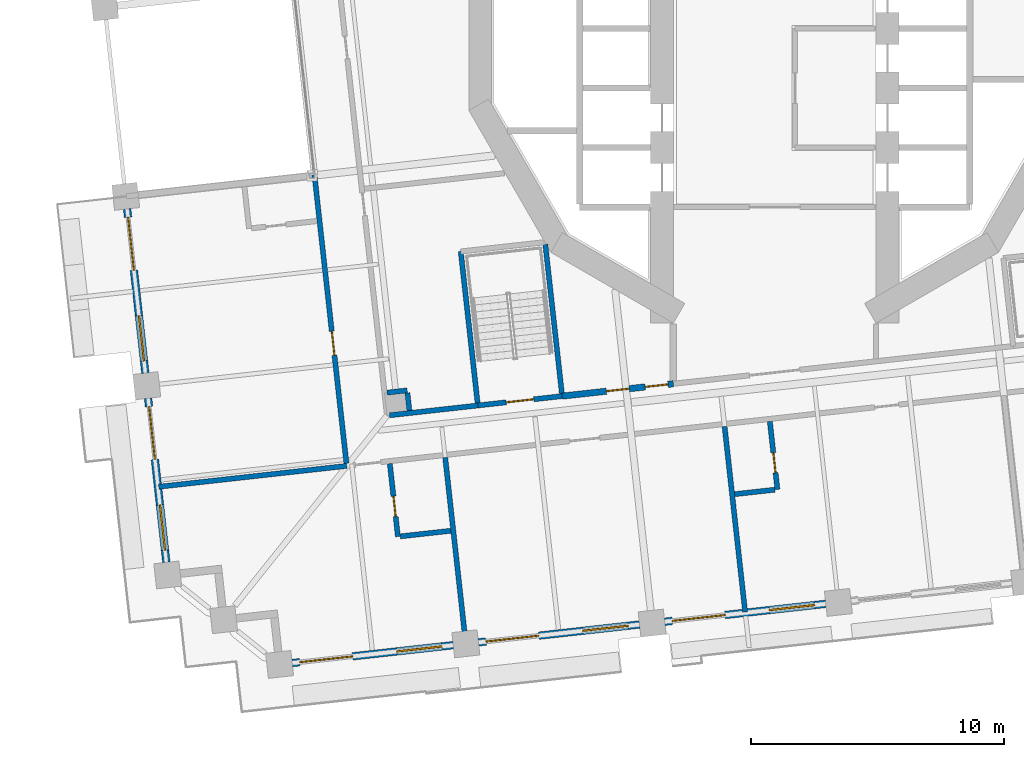
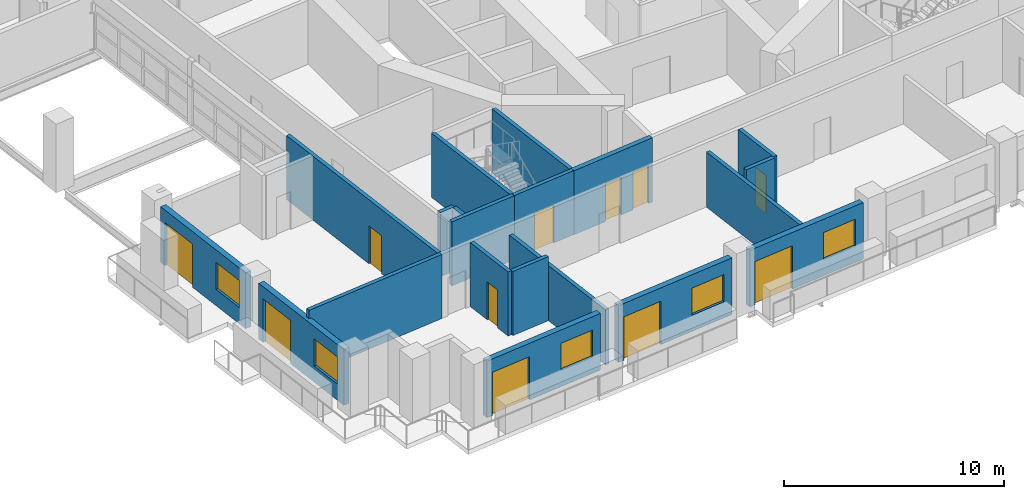
# One storey, part 7 of 21: 20 walls, 11 doors, 5 windows, 16 openings.
"""IFC4 building model written with IfcOpenShell, lengths in metres."""

from ifc_helpers import new_model, si_unit, direction, frame, frame_2d, origin, place, context, subcontext, project, spatial, rectangle, extrude, material, layer, layer_set, type_object, element, fill, save


model = new_model("IFC4")

# Units and contexts
model_context = context("Model", 3, precision=1e-05, world=origin(), true_north=direction((0.0, 1.0)))
body_context = subcontext(model_context, "Body", "Model", "MODEL_VIEW")
ifc_project = project(units=[si_unit("LENGTHUNIT", "METRE"), si_unit("AREAUNIT", "SQUARE_METRE"), si_unit("VOLUMEUNIT", "CUBIC_METRE"), si_unit("PLANEANGLEUNIT", "RADIAN"), si_unit("MASSUNIT", "GRAM", prefix="KILO")], contexts=[model_context])

# Site, building, storey
site_placement = place(None, origin())
site = spatial("IfcSite", under=ifc_project, at=site_placement, CompositionType="ELEMENT")
building_placement = place(site_placement, origin())
building = spatial("IfcBuilding", under=site, at=building_placement, Name="Cantera Rosa Tower", CompositionType="ELEMENT")
storey_placement = place(building_placement, frame((0.0, 0.0, 69.10009765625)))
storey = spatial("IfcBuildingStorey", under=building, at=storey_placement, Name="L14", CompositionType="ELEMENT", Elevation=69.10009765625)

# Wall, opening, door
ifc_material_1 = material(Name="Gypsum board partition")
ifc_layer_1 = layer(ifc_material_1, 0.199951171875)
ifc_layer_set_1 = layer_set([ifc_layer_1], Name="CORRIDOR WALL 200 H3550")
wall_type_1 = type_object("IfcWallType", Name="CORRIDOR WALL 200 H3550", PredefinedType="PARTITIONING", material=ifc_layer_set_1)
wall_1_placement = place(storey_placement, frame((-18.184814453125, -5.67578125, 0.0), z_axis=(0.0, 0.0, 1.0), x_axis=(0.110301773485, -0.993898143054, 0.0)))
wall_1 = element("IfcWall", 1, at=wall_1_placement, inside=storey, type_object=wall_type_1, Name="CORRIDOR WALL L14-009", PredefinedType="PARTITIONING", context=body_context, shape_type="SweptSolid", body=[
    extrude(rectangle(XDim=11.56494140625, YDim=0.199951171875, at=frame_2d((5.782470703125, 0.0))), origin(), (0.0, 0.0, 1.0), 3.5498046875),
])
opening_1_placement = place(wall_1_placement, frame((6.320068359375, 0.0, 0.0)))
opening_1 = element("IfcOpeningElement", 2, at=opening_1_placement, cuts=wall_1, Name="Opening L14-035", PredefinedType="OPENING", context=body_context, shape_type="SweptSolid", body=[
    extrude(rectangle(XDim=0.949951171875, YDim=2.10009765625, at=frame_2d((0.47509765625, 1.050048828125))), frame((0.0, 0.10986328125, 0.0), z_axis=(0.0, -1.0, 0.0), x_axis=(1.0, 0.0, 0.0)), (0.0, 0.0, 1.0), 0.219970703125),
])
ifc_material_2 = material(Name="Timber door leaf", Category="wood")
door_type_1 = type_object("IfcDoorType", Name="ROOM DOOR 950x2100", OperationType="NOTDEFINED", PredefinedType="DOOR", material=ifc_material_2)
door_1_placement = place(opening_1_placement, origin())
door_1 = element("IfcDoor", 3, at=door_1_placement, inside=storey, type_object=door_type_1, Name="DOOR L14-035", OperationType="NOTDEFINED", OverallHeight=2.10009765625, OverallWidth=0.949951171875, PredefinedType="DOOR", context=body_context, shape_type="SweptSolid", body=[
    extrude(rectangle(XDim=0.949951171875, YDim=2.10009765625, at=frame_2d((0.47509765625, 1.050048828125))), frame((0.0, 0.02490234375, 0.0), z_axis=(0.0, -1.0, 0.0), x_axis=(1.0, 0.0, 0.0)), (0.0, 0.0, 1.0), 0.050048828125),
])
fill(opening_1, door_1)

# Wall
wall_2_placement = place(storey_placement, frame((-15.208251953125, -15.27099609375, 0.0), z_axis=(0.0, 0.0, 1.0), x_axis=(0.993893064489, 0.110347525396, 0.0)))
element("IfcWall", 4, at=wall_2_placement, inside=storey, type_object=wall_type_1, Name="CORRIDOR WALL L14-020", PredefinedType="PARTITIONING", context=body_context, shape_type="SweptSolid", body=[
    extrude(rectangle(XDim=3.509033203125, YDim=0.199951171875, at=frame_2d((1.75439453125, 0.0))), origin(), (0.0, 0.0, 1.0), 3.5498046875),
])

# Wall, openings, window, door
ifc_material_3 = material(Name="Hollow clay masonry with cantera stone cladding", Category="masonry")
ifc_layer_2 = layer(ifc_material_3, 0.300048828125)
ifc_layer_set_2 = layer_set([ifc_layer_2], Name="EW-LOGGIA 300 H3090")
wall_type_2 = type_object("IfcWallType", Name="EW-LOGGIA 300 H3090", PredefinedType="SOLIDWALL", material=ifc_layer_set_2)
wall_3_placement = place(storey_placement, frame((-25.570068359375, -7.124267578125, 0.0), z_axis=(0.0, 0.0, 1.0), x_axis=(0.110312341265, -0.993896970196, 0.0)))
wall_3 = element("IfcWall", 5, at=wall_3_placement, inside=storey, type_object=wall_type_2, Name="EN-L14-W19", PredefinedType="SOLIDWALL", context=body_context, shape_type="SweptSolid", body=[
    extrude(rectangle(XDim=6.52001953125, YDim=0.300048828125, at=frame_2d((3.260009765625, 0.0))), origin(), (0.0, 0.0, 1.0), 3.08984375),
])
opening_2_placement = place(wall_3_placement, frame((0.330078125, 0.0, 0.0)))
opening_2 = element("IfcOpeningElement", 6, at=opening_2_placement, cuts=wall_3, Name="Opening L14-TD25", PredefinedType="OPENING", context=body_context, shape_type="SweptSolid", body=[
    extrude(rectangle(XDim=2.10009765625, YDim=2.39990234375, at=frame_2d((1.050048828125, 1.199951171875))), frame((0.0, 0.159912109375, 0.0), z_axis=(0.0, -1.0, 0.0), x_axis=(1.0, 0.0, 0.0)), (0.0, 0.0, 1.0), 0.320068359375),
])
opening_3_placement = place(wall_3_placement, frame((4.239990234375, 0.0, 0.89990234375)))
opening_3 = element("IfcOpeningElement", 7, at=opening_3_placement, cuts=wall_3, Name="Opening L14-W26", PredefinedType="OPENING", context=body_context, shape_type="SweptSolid", body=[
    extrude(rectangle(XDim=1.800048828125, YDim=1.5, at=frame_2d((0.89990234375, 0.75))), frame((0.0, 0.159912109375, 0.0), z_axis=(0.0, -1.0, 0.0), x_axis=(1.0, 0.0, 0.0)), (0.0, 0.0, 1.0), 0.320068359375),
])
ifc_material_4 = material(Name="Aluminium frame with clear glass", Category="aluminium")
window_type = type_object("IfcWindowType", Name="Hotel room window 1800x1500", PartitioningType="DOUBLE_PANEL_VERTICAL", PredefinedType="WINDOW", material=ifc_material_4)
window_1_placement = place(opening_3_placement, origin())
window_1 = element("IfcWindow", 8, at=window_1_placement, inside=storey, type_object=window_type, Name="WINDOW L14-W26", OverallHeight=1.5, OverallWidth=1.800048828125, PartitioningType="SINGLE_PANEL", PredefinedType="WINDOW", context=body_context, shape_type="SweptSolid", body=[
    extrude(rectangle(XDim=1.800048828125, YDim=1.5, at=frame_2d((0.89990234375, 0.75))), frame((0.0, 0.030029296875, 0.0), z_axis=(0.0, -1.0, 0.0), x_axis=(1.0, 0.0, 0.0)), (0.0, 0.0, 1.0), 0.06005859375),
])
fill(opening_3, window_1)
ifc_material_5 = material(Name="Aluminium frame with clear glass", Category="aluminium")
door_type_2 = type_object("IfcDoorType", Name="TD-H 2100x2400", OperationType="NOTDEFINED", PredefinedType="DOOR", material=ifc_material_5)
door_2_placement = place(opening_2_placement, origin())
door_2 = element("IfcDoor", 9, at=door_2_placement, inside=storey, type_object=door_type_2, Name="LOGGIA DOOR L14-TD25", OperationType="SLIDING_TO_LEFT", OverallHeight=2.39990234375, OverallWidth=2.10009765625, PredefinedType="DOOR", context=body_context, shape_type="SweptSolid", body=[
    extrude(rectangle(XDim=2.10009765625, YDim=2.39990234375, at=frame_2d((1.050048828125, 1.199951171875))), frame((0.0, 0.02490234375, 0.0), z_axis=(0.0, -1.0, 0.0), x_axis=(1.0, 0.0, 0.0)), (0.0, 0.0, 1.0), 0.050048828125),
])
fill(opening_2, door_2)

wall_4_placement = place(storey_placement, frame((-24.74072265625, -14.598388671875, 0.0), z_axis=(0.0, 0.0, 1.0), x_axis=(0.110312341265, -0.993896970196, 0.0)))
wall_4 = element("IfcWall", 10, at=wall_4_placement, inside=storey, type_object=wall_type_2, Name="EN-L14-W20", PredefinedType="SOLIDWALL", context=body_context, shape_type="SweptSolid", body=[
    extrude(rectangle(XDim=6.52001953125, YDim=0.300048828125, at=frame_2d((3.260009765625, 0.0))), origin(), (0.0, 0.0, 1.0), 3.08984375),
])
opening_4_placement = place(wall_4_placement, frame((0.330078125, 0.0, 0.0)))
opening_4 = element("IfcOpeningElement", 11, at=opening_4_placement, cuts=wall_4, Name="Opening L14-TD27", PredefinedType="OPENING", context=body_context, shape_type="SweptSolid", body=[
    extrude(rectangle(XDim=2.10009765625, YDim=2.39990234375, at=frame_2d((1.050048828125, 1.199951171875))), frame((0.0, 0.159912109375, 0.0), z_axis=(0.0, -1.0, 0.0), x_axis=(1.0, 0.0, 0.0)), (0.0, 0.0, 1.0), 0.320068359375),
])
opening_5_placement = place(wall_4_placement, frame((4.239990234375, 0.0, 0.89990234375)))
opening_5 = element("IfcOpeningElement", 12, at=opening_5_placement, cuts=wall_4, Name="Opening L14-W28", PredefinedType="OPENING", context=body_context, shape_type="SweptSolid", body=[
    extrude(rectangle(XDim=1.800048828125, YDim=1.5, at=frame_2d((0.89990234375, 0.75))), frame((0.0, 0.159912109375, 0.0), z_axis=(0.0, -1.0, 0.0), x_axis=(1.0, 0.0, 0.0)), (0.0, 0.0, 1.0), 0.320068359375),
])
window_2_placement = place(opening_5_placement, origin())
window_2 = element("IfcWindow", 13, at=window_2_placement, inside=storey, type_object=window_type, Name="WINDOW L14-W28", OverallHeight=1.5, OverallWidth=1.800048828125, PartitioningType="SINGLE_PANEL", PredefinedType="WINDOW", context=body_context, shape_type="SweptSolid", body=[
    extrude(rectangle(XDim=1.800048828125, YDim=1.5, at=frame_2d((0.89990234375, 0.75))), frame((0.0, 0.030029296875, 0.0), z_axis=(0.0, -1.0, 0.0), x_axis=(1.0, 0.0, 0.0)), (0.0, 0.0, 1.0), 0.06005859375),
])
fill(opening_5, window_2)
door_3_placement = place(opening_4_placement, origin())
door_3 = element("IfcDoor", 14, at=door_3_placement, inside=storey, type_object=door_type_2, Name="LOGGIA DOOR L14-TD27", OperationType="SLIDING_TO_LEFT", OverallHeight=2.39990234375, OverallWidth=2.10009765625, PredefinedType="DOOR", context=body_context, shape_type="SweptSolid", body=[
    extrude(rectangle(XDim=2.10009765625, YDim=2.39990234375, at=frame_2d((1.050048828125, 1.199951171875))), frame((0.0, 0.02490234375, 0.0), z_axis=(0.0, -1.0, 0.0), x_axis=(1.0, 0.0, 0.0)), (0.0, 0.0, 1.0), 0.050048828125),
])
fill(opening_4, door_3)

ifc_material_6 = material(Name="Hollow clay masonry with cantera stone cladding", Category="masonry")
ifc_layer_3 = layer(ifc_material_6, 0.300048828125)
ifc_layer_set_3 = layer_set([ifc_layer_3], Name="EW-LOGGIA 300 H3140")
wall_type_3 = type_object("IfcWallType", Name="EW-LOGGIA 300 H3140", PredefinedType="SOLIDWALL", material=ifc_layer_set_3)
wall_5_placement = place(storey_placement, frame((-19.052490234375, -25.0546875, 0.0), z_axis=(0.0, 0.0, 1.0), x_axis=(0.993896288542, 0.110318482689, 0.0)))
wall_5 = element("IfcWall", 15, at=wall_5_placement, inside=storey, type_object=wall_type_3, Name="EN-L14-W23", PredefinedType="SOLIDWALL", context=body_context, shape_type="SweptSolid", body=[
    extrude(rectangle(XDim=6.400146484375, YDim=0.300048828125, at=frame_2d((3.2001953125, 0.0))), origin(), (0.0, 0.0, 1.0), 3.139892578125),
])
opening_6_placement = place(wall_5_placement, frame((0.300048828125, 0.0, 0.0)))
opening_6 = element("IfcOpeningElement", 16, at=opening_6_placement, cuts=wall_5, Name="Opening L14-TD29", PredefinedType="OPENING", context=body_context, shape_type="SweptSolid", body=[
    extrude(rectangle(XDim=2.10009765625, YDim=2.39990234375, at=frame_2d((1.050048828125, 1.199951171875))), frame((0.0, 0.159912109375, 0.0), z_axis=(0.0, -1.0, 0.0), x_axis=(1.0, 0.0, 0.0)), (0.0, 0.0, 1.0), 0.320068359375),
])
opening_7_placement = place(wall_5_placement, frame((4.14990234375, 0.0, 0.89990234375)))
opening_7 = element("IfcOpeningElement", 17, at=opening_7_placement, cuts=wall_5, Name="Opening L14-W30", PredefinedType="OPENING", context=body_context, shape_type="SweptSolid", body=[
    extrude(rectangle(XDim=1.800048828125, YDim=1.5, at=frame_2d((0.89990234375, 0.75))), frame((0.0, 0.159912109375, 0.0), z_axis=(0.0, -1.0, 0.0), x_axis=(1.0, 0.0, 0.0)), (0.0, 0.0, 1.0), 0.320068359375),
])
window_3_placement = place(opening_7_placement, origin())
window_3 = element("IfcWindow", 18, at=window_3_placement, inside=storey, type_object=window_type, Name="WINDOW L14-W30", OverallHeight=1.5, OverallWidth=1.800048828125, PartitioningType="SINGLE_PANEL", PredefinedType="WINDOW", context=body_context, shape_type="SweptSolid", body=[
    extrude(rectangle(XDim=1.800048828125, YDim=1.5, at=frame_2d((0.89990234375, 0.75))), frame((0.0, 0.030029296875, 0.0), z_axis=(0.0, -1.0, 0.0), x_axis=(1.0, 0.0, 0.0)), (0.0, 0.0, 1.0), 0.06005859375),
])
fill(opening_7, window_3)
door_4_placement = place(opening_6_placement, origin())
door_4 = element("IfcDoor", 19, at=door_4_placement, inside=storey, type_object=door_type_2, Name="LOGGIA DOOR L14-TD29", OperationType="SLIDING_TO_LEFT", OverallHeight=2.39990234375, OverallWidth=2.10009765625, PredefinedType="DOOR", context=body_context, shape_type="SweptSolid", body=[
    extrude(rectangle(XDim=2.10009765625, YDim=2.39990234375, at=frame_2d((1.050048828125, 1.199951171875))), frame((0.0, 0.02490234375, 0.0), z_axis=(0.0, -1.0, 0.0), x_axis=(1.0, 0.0, 0.0)), (0.0, 0.0, 1.0), 0.050048828125),
])
fill(opening_6, door_4)

wall_6_placement = place(storey_placement, frame((-11.697509765625, -24.23828125, 0.0), z_axis=(0.0, 0.0, 1.0), x_axis=(0.993895824271, 0.110322665379, 0.0)))
wall_6 = element("IfcWall", 20, at=wall_6_placement, inside=storey, type_object=wall_type_3, Name="EN-L14-W24", PredefinedType="SOLIDWALL", context=body_context, shape_type="SweptSolid", body=[
    extrude(rectangle(XDim=6.39990234375, YDim=0.300048828125, at=frame_2d((3.199951171875, 0.0))), origin(), (0.0, 0.0, 1.0), 3.139892578125),
])
opening_8_placement = place(wall_6_placement, frame((0.300048828125, 0.0, 0.0)))
opening_8 = element("IfcOpeningElement", 21, at=opening_8_placement, cuts=wall_6, Name="Opening L14-TD31", PredefinedType="OPENING", context=body_context, shape_type="SweptSolid", body=[
    extrude(rectangle(XDim=2.10009765625, YDim=2.39990234375, at=frame_2d((1.050048828125, 1.199951171875))), frame((0.0, 0.159912109375, 0.0), z_axis=(0.0, -1.0, 0.0), x_axis=(1.0, 0.0, 0.0)), (0.0, 0.0, 1.0), 0.320068359375),
])
opening_9_placement = place(wall_6_placement, frame((4.14990234375, 0.0, 0.89990234375)))
opening_9 = element("IfcOpeningElement", 22, at=opening_9_placement, cuts=wall_6, Name="Opening L14-W32", PredefinedType="OPENING", context=body_context, shape_type="SweptSolid", body=[
    extrude(rectangle(XDim=1.800048828125, YDim=1.5, at=frame_2d((0.89990234375, 0.75))), frame((0.0, 0.159912109375, 0.0), z_axis=(0.0, -1.0, 0.0), x_axis=(1.0, 0.0, 0.0)), (0.0, 0.0, 1.0), 0.320068359375),
])
window_4_placement = place(opening_9_placement, origin())
window_4 = element("IfcWindow", 23, at=window_4_placement, inside=storey, type_object=window_type, Name="WINDOW L14-W32", OverallHeight=1.5, OverallWidth=1.800048828125, PartitioningType="SINGLE_PANEL", PredefinedType="WINDOW", context=body_context, shape_type="SweptSolid", body=[
    extrude(rectangle(XDim=1.800048828125, YDim=1.5, at=frame_2d((0.89990234375, 0.75))), frame((0.0, 0.030029296875, 0.0), z_axis=(0.0, -1.0, 0.0), x_axis=(1.0, 0.0, 0.0)), (0.0, 0.0, 1.0), 0.06005859375),
])
fill(opening_9, window_4)
door_5_placement = place(opening_8_placement, origin())
door_5 = element("IfcDoor", 24, at=door_5_placement, inside=storey, type_object=door_type_2, Name="LOGGIA DOOR L14-TD31", OperationType="SLIDING_TO_LEFT", OverallHeight=2.39990234375, OverallWidth=2.10009765625, PredefinedType="DOOR", context=body_context, shape_type="SweptSolid", body=[
    extrude(rectangle(XDim=2.10009765625, YDim=2.39990234375, at=frame_2d((1.050048828125, 1.199951171875))), frame((0.0, 0.02490234375, 0.0), z_axis=(0.0, -1.0, 0.0), x_axis=(1.0, 0.0, 0.0)), (0.0, 0.0, 1.0), 0.050048828125),
])
fill(opening_8, door_5)

wall_7_placement = place(storey_placement, frame((-4.3427734375, -23.422119140625, 0.0), z_axis=(0.0, 0.0, 1.0), x_axis=(0.993895824271, 0.110322665379, 0.0)))
wall_7 = element("IfcWall", 25, at=wall_7_placement, inside=storey, type_object=wall_type_3, Name="EN-L14-W25", PredefinedType="SOLIDWALL", context=body_context, shape_type="SweptSolid", body=[
    extrude(rectangle(XDim=6.39990234375, YDim=0.300048828125, at=frame_2d((3.199951171875, 0.0))), origin(), (0.0, 0.0, 1.0), 3.139892578125),
])
opening_10_placement = place(wall_7_placement, frame((0.300048828125, 0.0, 0.0)))
opening_10 = element("IfcOpeningElement", 26, at=opening_10_placement, cuts=wall_7, Name="Opening L14-TD33", PredefinedType="OPENING", context=body_context, shape_type="SweptSolid", body=[
    extrude(rectangle(XDim=2.10009765625, YDim=2.39990234375, at=frame_2d((1.050048828125, 1.199951171875))), frame((0.0, 0.159912109375, 0.0), z_axis=(0.0, -1.0, 0.0), x_axis=(1.0, 0.0, 0.0)), (0.0, 0.0, 1.0), 0.320068359375),
])
opening_11_placement = place(wall_7_placement, frame((4.14990234375, 0.0, 0.89990234375)))
opening_11 = element("IfcOpeningElement", 27, at=opening_11_placement, cuts=wall_7, Name="Opening L14-W34", PredefinedType="OPENING", context=body_context, shape_type="SweptSolid", body=[
    extrude(rectangle(XDim=1.800048828125, YDim=1.5, at=frame_2d((0.89990234375, 0.75))), frame((0.0, 0.159912109375, 0.0), z_axis=(0.0, -1.0, 0.0), x_axis=(1.0, 0.0, 0.0)), (0.0, 0.0, 1.0), 0.320068359375),
])
window_5_placement = place(opening_11_placement, origin())
window_5 = element("IfcWindow", 28, at=window_5_placement, inside=storey, type_object=window_type, Name="WINDOW L14-W34", OverallHeight=1.5, OverallWidth=1.800048828125, PartitioningType="SINGLE_PANEL", PredefinedType="WINDOW", context=body_context, shape_type="SweptSolid", body=[
    extrude(rectangle(XDim=1.800048828125, YDim=1.5, at=frame_2d((0.89990234375, 0.75))), frame((0.0, 0.030029296875, 0.0), z_axis=(0.0, -1.0, 0.0), x_axis=(1.0, 0.0, 0.0)), (0.0, 0.0, 1.0), 0.06005859375),
])
fill(opening_11, window_5)
door_6_placement = place(opening_10_placement, origin())
door_6 = element("IfcDoor", 29, at=door_6_placement, inside=storey, type_object=door_type_2, Name="LOGGIA DOOR L14-TD33", OperationType="SLIDING_TO_LEFT", OverallHeight=2.39990234375, OverallWidth=2.10009765625, PredefinedType="DOOR", context=body_context, shape_type="SweptSolid", body=[
    extrude(rectangle(XDim=2.10009765625, YDim=2.39990234375, at=frame_2d((1.050048828125, 1.199951171875))), frame((0.0, 0.02490234375, 0.0), z_axis=(0.0, -1.0, 0.0), x_axis=(1.0, 0.0, 0.0)), (0.0, 0.0, 1.0), 0.050048828125),
])
fill(opening_10, door_6)

# Wall, opening, door
ifc_material_7 = material(Name="Gypsum board partition")
ifc_layer_4 = layer(ifc_material_7, 0.199951171875)
ifc_layer_set_4 = layer_set([ifc_layer_4], Name="PARTITION 200 H3550")
wall_type_4 = type_object("IfcWallType", Name="PARTITION 200 H3550", PredefinedType="PARTITIONING", material=ifc_layer_set_4)
wall_8_placement = place(storey_placement, frame((-14.87744140625, -20.063720703125, 0.0), z_axis=(0.0, 0.0, 1.0), x_axis=(-0.110366846939, 0.993890919114, 0.0)))
wall_8 = element("IfcWall", 30, at=wall_8_placement, inside=storey, type_object=wall_type_4, Name="PARTITION L14-021", PredefinedType="PARTITIONING", context=body_context, shape_type="SweptSolid", body=[
    extrude(rectangle(XDim=2.900146484375, YDim=0.199951171875, at=frame_2d((1.4501953125, 0.0))), origin(), (0.0, 0.0, 1.0), 3.5498046875),
])
opening_12_placement = place(wall_8_placement, frame((0.800048828125, 0.0, 0.0)))
opening_12 = element("IfcOpeningElement", 31, at=opening_12_placement, cuts=wall_8, Name="Opening L14-043", PredefinedType="OPENING", context=body_context, shape_type="SweptSolid", body=[
    extrude(rectangle(XDim=0.800048828125, YDim=2.10009765625, at=frame_2d((0.39990234375, 1.050048828125))), frame((0.0, 0.10986328125, 0.0), z_axis=(0.0, -1.0, 0.0), x_axis=(1.0, 0.0, 0.0)), (0.0, 0.0, 1.0), 0.219970703125),
])
ifc_material_8 = material(Name="Timber door leaf", Category="wood")
door_type_3 = type_object("IfcDoorType", Name="BATHROOM DOOR 800x2100", OperationType="NOTDEFINED", PredefinedType="DOOR", material=ifc_material_8)
door_7_placement = place(opening_12_placement, origin())
door_7 = element("IfcDoor", 32, at=door_7_placement, inside=storey, type_object=door_type_3, Name="DOOR L14-043", OperationType="NOTDEFINED", OverallHeight=2.10009765625, OverallWidth=0.800048828125, PredefinedType="DOOR", context=body_context, shape_type="SweptSolid", body=[
    extrude(rectangle(XDim=0.800048828125, YDim=2.10009765625, at=frame_2d((0.39990234375, 1.050048828125))), frame((0.0, 0.02490234375, 0.0), z_axis=(0.0, -1.0, 0.0), x_axis=(1.0, 0.0, 0.0)), (0.0, 0.0, 1.0), 0.050048828125),
])
fill(opening_12, door_7)

# Walls
wall_9_placement = place(storey_placement, frame((-14.512451171875, -14.2880859375, 0.0), z_axis=(0.0, 0.0, 1.0), x_axis=(-0.993880012744, -0.110465018303, 0.0)))
element("IfcWall", 33, at=wall_9_placement, inside=storey, type_object=wall_type_4, Name="PARTITION L14-022", PredefinedType="PARTITIONING", context=body_context, shape_type="SweptSolid", body=[
    extrude(rectangle(XDim=0.800048828125, YDim=0.199951171875, at=frame_2d((0.39990234375, 0.0))), origin(), (0.0, 0.0, 1.0), 3.5498046875),
])
wall_10_placement = place(storey_placement, frame((-14.42431640625, -15.083251953125, 0.0), z_axis=(0.0, 0.0, 1.0), x_axis=(-0.110201865026, 0.993909225707, 0.0)))
element("IfcWall", 34, at=wall_10_placement, inside=storey, type_object=wall_type_4, Name="PARTITION L14-023", PredefinedType="PARTITIONING", context=body_context, shape_type="SweptSolid", body=[
    extrude(rectangle(XDim=0.699951171875, YDim=0.199951171875, at=frame_2d((0.35009765625, 0.0))), origin(), (0.0, 0.0, 1.0), 3.5498046875),
])
wall_11_placement = place(storey_placement, frame((-12.790283203125, -19.83203125, 0.0), z_axis=(0.0, 0.0, 1.0), x_axis=(-0.993906044505, -0.110230552467, 0.0)))
element("IfcWall", 35, at=wall_11_placement, inside=storey, type_object=wall_type_4, Name="PARTITION L14-024", PredefinedType="PARTITIONING", context=body_context, shape_type="SweptSolid", body=[
    extrude(rectangle(XDim=2.0, YDim=0.199951171875, at=frame_2d((1.0, 0.0))), origin(), (0.0, 0.0, 1.0), 3.5498046875),
])

# Wall, opening, door
wall_12_placement = place(storey_placement, frame((-0.189697265625, -15.515625, 0.0), z_axis=(0.0, 0.0, 1.0), x_axis=(0.110401753874, -0.993887042245, 0.0)))
wall_12 = element("IfcWall", 36, at=wall_12_placement, inside=storey, type_object=wall_type_4, Name="PARTITION L14-054", PredefinedType="PARTITIONING", context=body_context, shape_type="SweptSolid", body=[
    extrude(rectangle(XDim=2.7001953125, YDim=0.199951171875, at=frame_2d((1.35009765625, 0.0))), origin(), (0.0, 0.0, 1.0), 3.5498046875),
])
opening_13_placement = place(wall_12_placement, frame((1.236083984375, 0.0, 0.0)))
opening_13 = element("IfcOpeningElement", 37, at=opening_13_placement, cuts=wall_12, Name="Opening L14-039", PredefinedType="OPENING", context=body_context, shape_type="SweptSolid", body=[
    extrude(rectangle(XDim=0.800048828125, YDim=2.10009765625, at=frame_2d((0.39990234375, 1.050048828125))), frame((0.0, 0.10986328125, 0.0), z_axis=(0.0, -1.0, 0.0), x_axis=(1.0, 0.0, 0.0)), (0.0, 0.0, 1.0), 0.219970703125),
])
door_8_placement = place(opening_13_placement, origin())
door_8 = element("IfcDoor", 38, at=door_8_placement, inside=storey, type_object=door_type_3, Name="DOOR L14-039", OperationType="NOTDEFINED", OverallHeight=2.10009765625, OverallWidth=0.800048828125, PredefinedType="DOOR", context=body_context, shape_type="SweptSolid", body=[
    extrude(rectangle(XDim=0.800048828125, YDim=2.10009765625, at=frame_2d((0.39990234375, 1.050048828125))), frame((0.0, 0.02490234375, 0.0), z_axis=(0.0, -1.0, 0.0), x_axis=(1.0, 0.0, 0.0)), (0.0, 0.0, 1.0), 0.050048828125),
])
fill(opening_13, door_8)

# Walls
wall_13_placement = place(storey_placement, frame((0.0087890625, -18.210205078125, 0.0), z_axis=(0.0, 0.0, 1.0), x_axis=(-0.993894895571, -0.110331031706, 0.0)))
element("IfcWall", 39, at=wall_13_placement, inside=storey, type_object=wall_type_4, Name="PARTITION L14-055", PredefinedType="PARTITIONING", context=body_context, shape_type="SweptSolid", body=[
    extrude(rectangle(XDim=1.599853515625, YDim=0.199951171875, at=frame_2d((0.7998046875, 0.0))), origin(), (0.0, 0.0, 1.0), 3.5498046875),
])
ifc_material_9 = material(Name="Gypsum board partition")
ifc_layer_5 = layer(ifc_material_9, 0.199951171875)
ifc_layer_set_5 = layer_set([ifc_layer_5], Name="PARTY WALL 200 H3050")
wall_type_5 = type_object("IfcWallType", Name="PARTY WALL 200 H3050", PredefinedType="PARTITIONING", material=ifc_layer_set_5)
wall_14_placement = place(storey_placement, frame((-12.197998046875, -24.263671875, 0.0), z_axis=(0.0, 0.0, 1.0), x_axis=(-0.11031154238, 0.993897058864, 0.0)))
element("IfcWall", 40, at=wall_14_placement, inside=storey, type_object=wall_type_5, Name="PARTY WALL L14-026", PredefinedType="PARTITIONING", context=body_context, shape_type="SweptSolid", body=[
    extrude(rectangle(XDim=7.369873046875, YDim=0.199951171875, at=frame_2d((3.68505859375, 0.0))), origin(), (0.0, 0.0, 1.0), 3.0498046875),
])
wall_15_placement = place(storey_placement, frame((-1.978515625, -15.714111328125, 0.0), z_axis=(0.0, 0.0, 1.0), x_axis=(0.110307910555, -0.993897461949, 0.0)))
element("IfcWall", 41, at=wall_15_placement, inside=storey, type_object=wall_type_5, Name="PARTY WALL L14-053", PredefinedType="PARTITIONING", context=body_context, shape_type="SweptSolid", body=[
    extrude(rectangle(XDim=7.3701171875, YDim=0.199951171875, at=frame_2d((3.68505859375, 0.0))), origin(), (0.0, 0.0, 1.0), 3.0498046875),
])
ifc_material_10 = material(Name="Gypsum board partition")
ifc_layer_6 = layer(ifc_material_10, 0.199951171875)
ifc_layer_set_6 = layer_set([ifc_layer_6], Name="PARTY WALL 200 H3550")
wall_type_6 = type_object("IfcWallType", Name="PARTY WALL 200 H3550", PredefinedType="PARTITIONING", material=ifc_layer_set_6)
wall_16_placement = place(storey_placement, frame((-24.322509765625, -18.093505859375, 0.0), z_axis=(0.0, 0.0, 1.0), x_axis=(0.993897676912, 0.110305973679, 0.0)))
element("IfcWall", 42, at=wall_16_placement, inside=storey, type_object=wall_type_6, Name="PARTY WALL L14-002", PredefinedType="PARTITIONING", context=body_context, shape_type="SweptSolid", body=[
    extrude(rectangle(XDim=7.469970703125, YDim=0.199951171875, at=frame_2d((3.73486328125, 0.0))), origin(), (0.0, 0.0, 1.0), 3.5498046875),
])

# Wall, openings, doors
ifc_material_11 = material(Name="Masonry blockwork", Category="masonry")
ifc_layer_7 = layer(ifc_material_11, 0.25)
ifc_layer_set_7 = layer_set([ifc_layer_7], Name="SHAFT WALL 250 H3550")
wall_type_7 = type_object("IfcWallType", Name="SHAFT WALL 250 H3550", PredefinedType="SOLIDWALL", material=ifc_layer_set_7)
wall_17_placement = place(storey_placement, frame((-8.391357421875, -14.51416015625, 0.0), z_axis=(0.0, 0.0, 1.0), x_axis=(0.993899223668, 0.110292035939, 0.0)))
wall_17 = element("IfcWall", 43, at=wall_17_placement, inside=storey, type_object=wall_type_7, Name="SHAFT WALL L14-039", PredefinedType="SOLIDWALL", context=body_context, shape_type="SweptSolid", body=[
    extrude(rectangle(XDim=4.418212890625, YDim=0.25, at=frame_2d((2.208984375, 0.0))), origin(), (0.0, 0.0, 1.0), 3.5498046875),
])
opening_14_placement = place(wall_17_placement, frame((3.305419921875, 0.0, 0.0)))
opening_14 = element("IfcOpeningElement", 44, at=opening_14_placement, cuts=wall_17, Name="Opening L14-010", PredefinedType="OPENING", context=body_context, shape_type="SweptSolid", body=[
    extrude(rectangle(XDim=0.89990234375, YDim=2.10009765625, at=frame_2d((0.449951171875, 1.050048828125))), frame((0.0, 0.135009765625, 0.0), z_axis=(0.0, -1.0, 0.0), x_axis=(1.0, 0.0, 0.0)), (0.0, 0.0, 1.0), 0.27001953125),
])
opening_15_placement = place(wall_17_placement, frame((1.759033203125, 0.0, 0.0)))
opening_15 = element("IfcOpeningElement", 45, at=opening_15_placement, cuts=wall_17, Name="Opening L14-045", PredefinedType="OPENING", context=body_context, shape_type="SweptSolid", body=[
    extrude(rectangle(XDim=0.89990234375, YDim=2.10009765625, at=frame_2d((0.449951171875, 1.050048828125))), frame((0.0, 0.135009765625, 0.0), z_axis=(0.0, -1.0, 0.0), x_axis=(1.0, 0.0, 0.0)), (0.0, 0.0, 1.0), 0.27001953125),
])
ifc_material_12 = material(Name="Timber door leaf", Category="wood")
door_type_4 = type_object("IfcDoorType", Name="SERVICE DOOR 900x2100", OperationType="NOTDEFINED", PredefinedType="DOOR", material=ifc_material_12)
door_9_placement = place(opening_14_placement, origin())
door_9 = element("IfcDoor", 46, at=door_9_placement, inside=storey, type_object=door_type_4, Name="RISER DOOR L14-010", OperationType="NOTDEFINED", OverallHeight=2.10009765625, OverallWidth=0.89990234375, PredefinedType="DOOR", context=body_context, shape_type="SweptSolid", body=[
    extrude(rectangle(XDim=0.89990234375, YDim=2.10009765625, at=frame_2d((0.449951171875, 1.050048828125))), frame((0.0, 0.02490234375, 0.0), z_axis=(0.0, -1.0, 0.0), x_axis=(1.0, 0.0, 0.0)), (0.0, 0.0, 1.0), 0.050048828125),
])
fill(opening_14, door_9)
door_10_placement = place(opening_15_placement, origin())
door_10 = element("IfcDoor", 47, at=door_10_placement, inside=storey, type_object=door_type_4, Name="RISER DOOR L14-045", OperationType="NOTDEFINED", OverallHeight=2.10009765625, OverallWidth=0.89990234375, PredefinedType="DOOR", context=body_context, shape_type="SweptSolid", body=[
    extrude(rectangle(XDim=0.89990234375, YDim=2.10009765625, at=frame_2d((0.449951171875, 1.050048828125))), frame((0.0, 0.02490234375, 0.0), z_axis=(0.0, -1.0, 0.0), x_axis=(1.0, 0.0, 0.0)), (0.0, 0.0, 1.0), 0.050048828125),
])
fill(opening_15, door_10)

# Wall
ifc_material_13 = material(Name="Concrete C50/60", Category="concrete")
ifc_layer_8 = layer(ifc_material_13, 0.199951171875)
ifc_layer_set_8 = layer_set([ifc_layer_8], Name="STAIR WALL 200 H3550")
wall_type_8 = type_object("IfcWallType", Name="STAIR WALL 200 H3550", PredefinedType="SOLIDWALL", material=ifc_layer_set_8)
wall_18_placement = place(storey_placement, frame((-12.395751953125, -8.802978515625, 0.0), z_axis=(0.0, 0.0, 1.0), x_axis=(0.110335171461, -0.993894436014, 0.0)))
element("IfcWall", 48, at=wall_18_placement, inside=storey, type_object=wall_type_8, Name="STAIR WALL L14-025", PredefinedType="SOLIDWALL", context=body_context, shape_type="SweptSolid", body=[
    extrude(rectangle(XDim=6.1181640625, YDim=0.199951171875, at=frame_2d((3.05908203125, 0.0))), origin(), (0.0, 0.0, 1.0), 3.5498046875),
])

# Wall, opening, door
wall_19_placement = place(storey_placement, frame((-11.720703125, -14.8837890625, 0.0), z_axis=(0.0, 0.0, 1.0), x_axis=(0.993893507649, 0.110343533811, 0.0)))
wall_19 = element("IfcWall", 49, at=wall_19_placement, inside=storey, type_object=wall_type_8, Name="STAIR WALL L14-028", PredefinedType="SOLIDWALL", context=body_context, shape_type="SweptSolid", body=[
    extrude(rectangle(XDim=3.349853515625, YDim=0.199951171875, at=frame_2d((1.6748046875, 0.0))), origin(), (0.0, 0.0, 1.0), 3.5498046875),
])
opening_16_placement = place(wall_19_placement, frame((1.125, 0.0, 0.0)))
opening_16 = element("IfcOpeningElement", 50, at=opening_16_placement, cuts=wall_19, Name="Opening L14-003", PredefinedType="OPENING", context=body_context, shape_type="SweptSolid", body=[
    extrude(rectangle(XDim=1.10009765625, YDim=2.10009765625, at=frame_2d((0.550048828125, 1.050048828125))), frame((0.0, 0.10986328125, 0.0), z_axis=(0.0, -1.0, 0.0), x_axis=(1.0, 0.0, 0.0)), (0.0, 0.0, 1.0), 0.219970703125),
])
ifc_material_14 = material(Name="Steel S355J2 (EN 10025-2)", Category="steel")
door_type_5 = type_object("IfcDoorType", Name="STAIR DOOR 1100x2100", OperationType="NOTDEFINED", PredefinedType="DOOR", material=ifc_material_14)
door_11_placement = place(opening_16_placement, origin())
door_11 = element("IfcDoor", 51, at=door_11_placement, inside=storey, type_object=door_type_5, Name="DOOR L14-003", OperationType="NOTDEFINED", OverallHeight=2.10009765625, OverallWidth=1.10009765625, PredefinedType="DOOR", context=body_context, shape_type="SweptSolid", body=[
    extrude(rectangle(XDim=1.10009765625, YDim=2.10009765625, at=frame_2d((0.550048828125, 1.050048828125))), frame((0.0, 0.02490234375, 0.0), z_axis=(0.0, -1.0, 0.0), x_axis=(1.0, 0.0, 0.0)), (0.0, 0.0, 1.0), 0.050048828125),
])
fill(opening_16, door_11)

# Wall
wall_20_placement = place(storey_placement, frame((-8.391357421875, -14.51416015625, 0.0), z_axis=(0.0, 0.0, 1.0), x_axis=(-0.11031151838, 0.993897061527, 0.0)))
element("IfcWall", 52, at=wall_20_placement, inside=storey, type_object=wall_type_8, Name="STAIR WALL L14-038", PredefinedType="SOLIDWALL", context=body_context, shape_type="SweptSolid", body=[
    extrude(rectangle(XDim=6.02880859375, YDim=0.199951171875, at=frame_2d((3.014404296875, 0.0))), origin(), (0.0, 0.0, 1.0), 3.5498046875),
])

save(model, "model.ifc")
